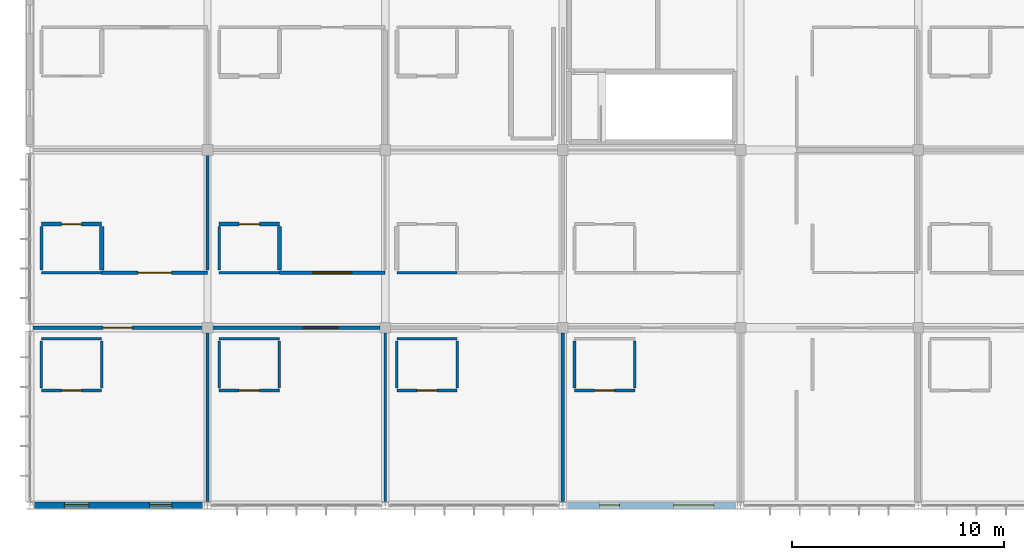
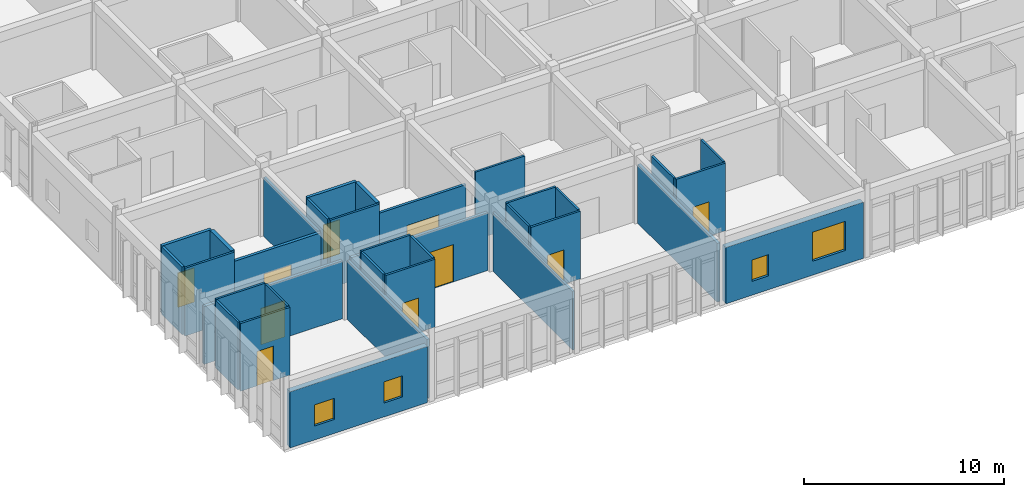
# One storey, part 95 of 144: 34 walls, 10 doors, 4 windows, 14 openings.
"""IFC4 building model written with IfcOpenShell, lengths in metres."""

import ifcopenshell
import ifcopenshell.guid

model = None  # the IFC model being written
_history = None  # IfcOwnerHistory: only IFC2X3 demands one
_inside = {}  # id of a spatial element -> (the spatial element, [elements in it])
_under = {}  # id of a project, library or spatial element -> (it, [spatial elements below it])
_declared = {}  # id of a project -> (the project, [libraries it declares])
_typed = {}  # id of a type object -> (the type object, [elements of that type])
_made_of = {}  # id of a material, layer set ... -> (it, [elements and type objects made of it])


def new_model(schema):
    """Start an empty IFC model of exactly this schema.

    Asked for "IFC4X3", IfcOpenShell would pick the latest addendum, in which some entities
    have other attributes; the version numbers below select the first issue.
    IFC2X3 requires an IfcOwnerHistory on every rooted entity: one is made here for all.
    """
    global model, _history
    if schema == "IFC4X3":
        model = ifcopenshell.file(schema_version=(4, 3, 0, 0))
    else:
        model = ifcopenshell.file(schema=schema)
    _inside.clear()
    _under.clear()
    _declared.clear()
    _typed.clear()
    _made_of.clear()
    _history = None
    if model.schema == "IFC2X3":
        org = make("IfcOrganization", Name="unknown")
        user = make(
            "IfcPersonAndOrganization",
            ThePerson=make("IfcPerson", FamilyName="unknown"),
            TheOrganization=org,
        )
        app = make(
            "IfcApplication",
            ApplicationDeveloper=org,
            Version="unknown",
            ApplicationFullName="unknown",
            ApplicationIdentifier="unknown",
        )
        _history = make(
            "IfcOwnerHistory",
            OwningUser=user,
            OwningApplication=app,
            ChangeAction="ADDED",
            CreationDate=0,
        )
    return model


def make(cls, **values):
    """One entity of the class cls with the attributes given. An attribute that is None is left unset."""
    return model.create_entity(
        cls, **{name: value for name, value in values.items() if value is not None}
    )


def rooted(cls, **values):
    """An entity with a GlobalId (a new one), such as an element, a storey or a relation."""
    return make(cls, GlobalId=ifcopenshell.guid.new(), OwnerHistory=_history, **values)


def si_unit(unit_type, name, prefix=None):
    """IfcSIUnit, for example si_unit("LENGTHUNIT", "METRE", prefix="MILLI")."""
    return make("IfcSIUnit", UnitType=unit_type, Prefix=prefix, Name=name)


def assignment(units):
    """IfcUnitAssignment: the units of a project."""
    return None if units is None else make("IfcUnitAssignment", Units=units)


def point(xyz):
    """IfcCartesianPoint."""
    return None if xyz is None else make("IfcCartesianPoint", Coordinates=xyz)


def direction(xyz):
    """IfcDirection."""
    return None if xyz is None else make("IfcDirection", DirectionRatios=xyz)


def frame(location, z_axis=None, x_axis=None):
    """IfcAxis2Placement3D, a coordinate frame: its origin and axes. An axis left out is left unset."""
    return make(
        "IfcAxis2Placement3D",
        Location=point(location),
        Axis=direction(z_axis),
        RefDirection=direction(x_axis),
    )


def frame_2d(location, x_axis=None):
    """IfcAxis2Placement2D, a coordinate frame in the plane: its origin and x axis."""
    return make(
        "IfcAxis2Placement2D", Location=point(location), RefDirection=direction(x_axis)
    )


def origin():
    """The frame at (0, 0, 0) with its axes left unset."""
    return frame((0.0, 0.0, 0.0))


def place(relative_to, where):
    """IfcLocalPlacement: puts the frame where relative to a parent placement (None: the world)."""
    return make(
        "IfcLocalPlacement", PlacementRelTo=relative_to, RelativePlacement=where
    )


def context(
    kind, dimensions, precision=None, world=None, true_north=None, identifier=None
):
    """IfcGeometricRepresentationContext, for example the 3D "Model" context."""
    return make(
        "IfcGeometricRepresentationContext",
        ContextIdentifier=identifier,
        ContextType=kind,
        CoordinateSpaceDimension=dimensions,
        Precision=precision,
        WorldCoordinateSystem=world,
        TrueNorth=true_north,
    )


def subcontext(parent, identifier, kind, view, scale=None):
    """IfcGeometricRepresentationSubContext, for example "Body" below "Model"."""
    return make(
        "IfcGeometricRepresentationSubContext",
        ContextIdentifier=identifier,
        ContextType=kind,
        ParentContext=parent,
        TargetScale=scale,
        TargetView=view,
    )


def project(units=None, contexts=None):
    """IfcProject with its units and contexts."""
    return rooted(
        "IfcProject",
        Name="project",
        RepresentationContexts=contexts,
        UnitsInContext=assignment(units),
    )


def spatial(cls, under=None, at=None, **own):
    """A site, building, storey or space (cls), placed at a placement, below another one or the project."""
    s = rooted(cls, ObjectPlacement=at, **own)
    if under is not None:
        _under.setdefault(under.id(), (under, []))[1].append(s)
    return s


def profile(cls, at=None, kind="AREA", **sizes):
    """A parametric profile (cls). Its sizes go by their IFC names, for example OverallWidth=200.0."""
    return make(cls, ProfileType=kind, Position=at, **sizes)


def rectangle(**sizes):
    """IfcRectangleProfileDef."""
    return profile("IfcRectangleProfileDef", **sizes)


def extrude(swept, where, along, depth):
    """IfcExtrudedAreaSolid: the profile swept, set in the frame where, extruded along a direction by depth."""
    return make(
        "IfcExtrudedAreaSolid",
        SweptArea=swept,
        Position=where,
        ExtrudedDirection=direction(along),
        Depth=depth,
    )


def shape(context_of_items, identifier, shape_type, items):
    """IfcShapeRepresentation: the items that make up one representation, for example the "Body"."""
    return make(
        "IfcShapeRepresentation",
        ContextOfItems=context_of_items,
        RepresentationIdentifier=identifier,
        RepresentationType=shape_type,
        Items=items,
    )


def material(Name=None, Category=None):
    """IfcMaterial."""
    return make("IfcMaterial", Name=Name, Category=Category)


def layer(
    of_material, thickness, ventilated=None, Name=None, Category=None, Priority=None
):
    """IfcMaterialLayer: one layer of a wall or slab, of a material (None: an air gap)."""
    return make(
        "IfcMaterialLayer",
        Material=of_material,
        LayerThickness=thickness,
        IsVentilated=ventilated,
        Name=Name,
        Category=Category,
        Priority=Priority,
    )


def layer_set(layers, Name=None):
    """IfcMaterialLayerSet."""
    return make("IfcMaterialLayerSet", MaterialLayers=layers, LayerSetName=Name)


def made_of(thing, what):
    """Note that an element or type object is made of a material, layer set ...; save() writes the relation."""
    if what is not None:
        _made_of.setdefault(what.id(), (what, []))[1].append(thing)
    return thing


def type_object(cls, material=None, **own):
    """A type object (cls), such as IfcWallType, which elements share."""
    return made_of(rooted(cls, **own), material)


def element(
    cls,
    number,
    at=None,
    inside=None,
    cuts=None,
    type_object=None,
    material=None,
    context=None,
    identifier="Body",
    shape_type=None,
    held_by="IfcProductDefinitionShape",
    body=None,
    shapes=None,
    **own,
):
    """One element of the class cls, such as IfcWall. Its Tag is "e" and its number.

    at: its placement. inside: the storey or other place that contains it. cuts: it is an
    opening in that element (IfcRelVoidsElement). A single representation is given by context,
    identifier, shape_type and body (its items); several are given by shapes. held_by: the class
    of the entity that holds the representations. save() writes the other relations.
    """
    e = rooted(cls, Tag="e%d" % number, ObjectPlacement=at, **own)
    if body is not None:
        shapes = [shape(context, identifier, shape_type, body)]
    if shapes is not None:
        e.Representation = make(held_by, Representations=shapes)
    if inside is not None:
        _inside.setdefault(inside.id(), (inside, []))[1].append(e)
    if cuts is not None:
        rooted(
            "IfcRelVoidsElement", RelatingBuildingElement=cuts, RelatedOpeningElement=e
        )
    if type_object is not None:
        _typed.setdefault(type_object.id(), (type_object, []))[1].append(e)
    return made_of(e, material)


def fill(opening, filler):
    """IfcRelFillsElement: the door or window that sits in an opening."""
    return rooted(
        "IfcRelFillsElement",
        RelatingOpeningElement=opening,
        RelatedBuildingElement=filler,
    )


def aggregate(whole, parts):
    """IfcRelAggregates: a whole, such as a stair, and the parts it consists of."""
    return rooted("IfcRelAggregates", RelatingObject=whole, RelatedObjects=parts)


def save(model, path):
    """Write the relations noted so far, then the file.

    IfcRelAggregates (storeys below a building ...), IfcRelContainedInSpatialStructure (elements
    in a storey), IfcRelDefinesByType, IfcRelAssociatesMaterial and IfcRelDeclares: one each for
    every whole, place, type object, material and project.
    """
    for whole, parts in _under.values():
        aggregate(whole, parts)
    for where, things in _inside.values():
        rooted(
            "IfcRelContainedInSpatialStructure",
            RelatedElements=things,
            RelatingStructure=where,
        )
    for kind, things in _typed.values():
        rooted("IfcRelDefinesByType", RelatedObjects=things, RelatingType=kind)
    for what, things in _made_of.values():
        rooted("IfcRelAssociatesMaterial", RelatedObjects=things, RelatingMaterial=what)
    for by, libraries in _declared.values():
        rooted("IfcRelDeclares", RelatingContext=by, RelatedDefinitions=libraries)
    model.write(path)


model = new_model("IFC4")

# Units and contexts
model_context = context("Model", 3, precision=1e-05, world=origin(), true_north=direction((0.0, 1.0)))
body_context = subcontext(model_context, "Body", "Model", "MODEL_VIEW")
ifc_project = project(units=[si_unit("LENGTHUNIT", "METRE"), si_unit("AREAUNIT", "SQUARE_METRE"), si_unit("VOLUMEUNIT", "CUBIC_METRE"), si_unit("PLANEANGLEUNIT", "RADIAN"), si_unit("MASSUNIT", "GRAM", prefix="KILO")], contexts=[model_context])

# Site, building, storey
site_placement = place(None, origin())
site = spatial("IfcSite", under=ifc_project, at=site_placement, CompositionType="ELEMENT")
building_placement = place(site_placement, origin())
building = spatial("IfcBuilding", under=site, at=building_placement, Name="Bramfleet General Hospital", CompositionType="ELEMENT")
storey_placement = place(building_placement, frame((0.0, 0.0, 4.800048828125)))
storey = spatial("IfcBuildingStorey", under=building, at=storey_placement, Name="L01", CompositionType="ELEMENT", Elevation=4.800048828125)

# Wall, openings, windows
ifc_material_1 = material(Name="Precast concrete C40/50", Category="concrete")
ifc_layer_1 = layer(ifc_material_1, 0.3349609375, Name="WT-EW-03")
ifc_layer_set_1 = layer_set([ifc_layer_1], Name="Precast concrete C40/50")
wall_type_1 = type_object("IfcWallType", Name="WT-EW-03", PredefinedType="SOLIDWALL", material=ifc_layer_set_1)
wall_1_placement = place(storey_placement, frame((33.375, 0.0, 0.0), z_axis=(0.0, 0.0, 1.0), x_axis=(-1.0, 0.0, 0.0)))
wall_1 = element("IfcWall", 1, at=wall_1_placement, inside=storey, type_object=wall_type_1, Name="L01 Exterior Wall 190", PredefinedType="SOLIDWALL", context=body_context, shape_type="SweptSolid", body=[
    extrude(rectangle(XDim=7.949951171875, YDim=0.3349609375, at=frame_2d((3.97509765625, 0.0))), origin(), (0.0, 0.0, 1.0), 3.43994140625),
])
opening_1_placement = place(wall_1_placement, frame((1.03759765625, 0.0, 0.85009765625)))
opening_1 = element("IfcOpeningElement", 2, at=opening_1_placement, cuts=wall_1, Name="Opening W-46", PredefinedType="OPENING", context=body_context, shape_type="SweptSolid", body=[
    extrude(rectangle(XDim=1.89990234375, YDim=1.780029296875, at=frame_2d((0.949951171875, 0.89013671875))), frame((0.0, 0.177490234375, 0.0), z_axis=(0.0, -1.0, 0.0), x_axis=(1.0, 0.0, 0.0)), (0.0, 0.0, 1.0), 0.35498046875),
])
opening_2_placement = place(wall_1_placement, frame((5.487548828125, 0.0, 0.85009765625)))
opening_2 = element("IfcOpeningElement", 3, at=opening_2_placement, cuts=wall_1, Name="Opening W-01", PredefinedType="OPENING", context=body_context, shape_type="SweptSolid", body=[
    extrude(rectangle(XDim=0.949951171875, YDim=1.300048828125, at=frame_2d((0.47509765625, 0.64990234375))), frame((0.0, 0.177490234375, 0.0), z_axis=(0.0, -1.0, 0.0), x_axis=(1.0, 0.0, 0.0)), (0.0, 0.0, 1.0), 0.35498046875),
])
ifc_material_2 = material(Name="Anodised aluminium and low-E triple glazing", Category="aluminium")
window_type_1 = type_object("IfcWindowType", Name="WIN-W-01", PartitioningType="SINGLE_PANEL", PredefinedType="WINDOW", material=ifc_material_2)
window_1_placement = place(opening_2_placement, origin())
window_1 = element("IfcWindow", 4, at=window_1_placement, inside=storey, type_object=window_type_1, Name="L01 Facade Window WIN-L01-190-2", OverallHeight=1.300048828125, OverallWidth=0.949951171875, PartitioningType="SINGLE_PANEL", PredefinedType="WINDOW", context=body_context, shape_type="SweptSolid", body=[
    extrude(rectangle(XDim=0.949951171875, YDim=1.300048828125, at=frame_2d((0.47509765625, 0.64990234375))), frame((0.0, 0.030029296875, 0.0), z_axis=(0.0, -1.0, 0.0), x_axis=(1.0, 0.0, 0.0)), (0.0, 0.0, 1.0), 0.06005859375),
])
fill(opening_2, window_1)
window_type_2 = type_object("IfcWindowType", Name="WIN-W-46", PartitioningType="SINGLE_PANEL", PredefinedType="WINDOW", material=ifc_material_2)
window_2_placement = place(opening_1_placement, origin())
window_2 = element("IfcWindow", 5, at=window_2_placement, inside=storey, type_object=window_type_2, Name="L01 Facade Window WIN-L01-190-1", OverallHeight=1.780029296875, OverallWidth=1.89990234375, PartitioningType="SINGLE_PANEL", PredefinedType="WINDOW", context=body_context, shape_type="SweptSolid", body=[
    extrude(rectangle(XDim=1.89990234375, YDim=1.780029296875, at=frame_2d((0.949951171875, 0.89013671875))), frame((0.0, 0.030029296875, 0.0), z_axis=(0.0, -1.0, 0.0), x_axis=(1.0, 0.0, 0.0)), (0.0, 0.0, 1.0), 0.06005859375),
])
fill(opening_1, window_2)

ifc_layer_2 = layer(ifc_material_1, 0.31494140625, Name="WT-EW-04")
ifc_layer_set_2 = layer_set([ifc_layer_2], Name="Precast concrete C40/50")
wall_type_2 = type_object("IfcWallType", Name="WT-EW-04", PredefinedType="SOLIDWALL", material=ifc_layer_set_2)
wall_2_placement = place(storey_placement, frame((8.175048828125, 0.0, 0.0), z_axis=(0.0, 0.0, 1.0), x_axis=(-1.0, 0.0, 0.0)))
wall_2 = element("IfcWall", 6, at=wall_2_placement, inside=storey, type_object=wall_type_2, Name="L01 Exterior Wall 191", PredefinedType="SOLIDWALL", context=body_context, shape_type="SweptSolid", body=[
    extrude(rectangle(XDim=7.949951171875, YDim=0.31494140625, at=frame_2d((3.97509765625, 0.0))), origin(), (0.0, 0.0, 1.0), 3.43994140625),
])
opening_3_placement = place(wall_2_placement, frame((1.46240234375, 0.0, 0.85009765625)))
opening_3 = element("IfcOpeningElement", 7, at=opening_3_placement, cuts=wall_2, Name="Opening W-02", PredefinedType="OPENING", context=body_context, shape_type="SweptSolid", body=[
    extrude(rectangle(XDim=1.050048828125, YDim=1.300048828125, at=frame_2d((0.52490234375, 0.64990234375))), frame((0.0, 0.16748046875, 0.0), z_axis=(0.0, -1.0, 0.0), x_axis=(1.0, 0.0, 0.0)), (0.0, 0.0, 1.0), 0.3349609375),
])
opening_4_placement = place(wall_2_placement, frame((5.387451171875, 0.0, 0.85009765625)))
opening_4 = element("IfcOpeningElement", 8, at=opening_4_placement, cuts=wall_2, Name="Opening W-03", PredefinedType="OPENING", context=body_context, shape_type="SweptSolid", body=[
    extrude(rectangle(XDim=1.14990234375, YDim=1.300048828125, at=frame_2d((0.574951171875, 0.64990234375))), frame((0.0, 0.16748046875, 0.0), z_axis=(0.0, -1.0, 0.0), x_axis=(1.0, 0.0, 0.0)), (0.0, 0.0, 1.0), 0.3349609375),
])
window_type_3 = type_object("IfcWindowType", Name="WIN-W-02", PartitioningType="SINGLE_PANEL", PredefinedType="WINDOW", material=ifc_material_2)
window_3_placement = place(opening_3_placement, origin())
window_3 = element("IfcWindow", 9, at=window_3_placement, inside=storey, type_object=window_type_3, Name="L01 Facade Window WIN-L01-191-1", OverallHeight=1.300048828125, OverallWidth=1.050048828125, PartitioningType="SINGLE_PANEL", PredefinedType="WINDOW", context=body_context, shape_type="SweptSolid", body=[
    extrude(rectangle(XDim=1.050048828125, YDim=1.300048828125, at=frame_2d((0.52490234375, 0.64990234375))), frame((0.0, 0.030029296875, 0.0), z_axis=(0.0, -1.0, 0.0), x_axis=(1.0, 0.0, 0.0)), (0.0, 0.0, 1.0), 0.06005859375),
])
fill(opening_3, window_3)
window_type_4 = type_object("IfcWindowType", Name="WIN-W-03", PartitioningType="SINGLE_PANEL", PredefinedType="WINDOW", material=ifc_material_2)
window_4_placement = place(opening_4_placement, origin())
window_4 = element("IfcWindow", 10, at=window_4_placement, inside=storey, type_object=window_type_4, Name="L01 Facade Window WIN-L01-191-2", OverallHeight=1.300048828125, OverallWidth=1.14990234375, PartitioningType="SINGLE_PANEL", PredefinedType="WINDOW", context=body_context, shape_type="SweptSolid", body=[
    extrude(rectangle(XDim=1.14990234375, YDim=1.300048828125, at=frame_2d((0.574951171875, 0.64990234375))), frame((0.0, 0.030029296875, 0.0), z_axis=(0.0, -1.0, 0.0), x_axis=(1.0, 0.0, 0.0)), (0.0, 0.0, 1.0), 0.06005859375),
])
fill(opening_4, window_4)

# Walls
ifc_material_3 = material(Name="Concrete C35/45", Category="concrete")
ifc_layer_3 = layer(ifc_material_3, 0.219970703125, Name="WT-IW-01")
ifc_layer_set_3 = layer_set([ifc_layer_3], Name="Concrete C35/45")
wall_type_3 = type_object("IfcWallType", Name="WT-IW-01", PredefinedType="PARTITIONING", material=ifc_layer_set_3)
wall_3_placement = place(storey_placement, frame((3.39990234375, 11.114990234375, 0.0), z_axis=(0.0, 0.0, 1.0), x_axis=(0.0, 1.0, 0.0)))
element("IfcWall", 11, at=wall_3_placement, inside=storey, type_object=wall_type_3, Name="L01 Interior Partition IW-L01-1585", PredefinedType="PARTITIONING", context=body_context, shape_type="SweptSolid", body=[
    extrude(rectangle(XDim=2.070068359375, YDim=0.219970703125, at=frame_2d((1.03515625, 0.0))), origin(), (0.0, 0.0, 1.0), 4.139892578125),
])
ifc_layer_4 = layer(ifc_material_3, 0.18994140625, Name="WT-IW-03")
ifc_layer_set_4 = layer_set([ifc_layer_4], Name="Concrete C35/45")
wall_type_4 = type_object("IfcWallType", Name="WT-IW-03", PredefinedType="PARTITIONING", material=ifc_layer_set_4)
wall_4_placement = place(storey_placement, frame((11.800048828125, 11.114990234375, 0.0), z_axis=(0.0, 0.0, 1.0), x_axis=(0.0, 1.0, 0.0)))
element("IfcWall", 12, at=wall_4_placement, inside=storey, type_object=wall_type_4, Name="L01 Interior Partition IW-L01-1611", PredefinedType="PARTITIONING", context=body_context, shape_type="SweptSolid", body=[
    extrude(rectangle(XDim=2.070068359375, YDim=0.18994140625, at=frame_2d((1.03515625, 0.0))), origin(), (0.0, 0.0, 1.0), 4.139892578125),
])

# Wall, opening, door
ifc_layer_5 = layer(ifc_material_3, 0.179931640625, Name="WT-IW-04")
ifc_layer_set_5 = layer_set([ifc_layer_5], Name="Concrete C35/45")
wall_type_5 = type_object("IfcWallType", Name="WT-IW-04", PredefinedType="PARTITIONING", material=ifc_layer_set_5)
wall_5_placement = place(storey_placement, frame((0.550048828125, 13.300048828125, 0.0), z_axis=(0.0, 0.0, 1.0), x_axis=(1.0, 0.0, 0.0)))
wall_5 = element("IfcWall", 13, at=wall_5_placement, inside=storey, type_object=wall_type_5, Name="L01 Interior Partition IW-L01-1252", PredefinedType="PARTITIONING", context=body_context, shape_type="SweptSolid", body=[
    extrude(rectangle(XDim=2.849853515625, YDim=0.179931640625, at=frame_2d((1.4248046875, 0.0))), origin(), (0.0, 0.0, 1.0), 4.139892578125),
])
opening_5_placement = place(wall_5_placement, frame((0.949951171875, 0.0, 0.0)))
opening_5 = element("IfcOpeningElement", 14, at=opening_5_placement, cuts=wall_5, Name="Opening D0609", PredefinedType="OPENING", context=body_context, shape_type="SweptSolid", body=[
    extrude(rectangle(XDim=0.949951171875, YDim=2.10009765625, at=frame_2d((0.47509765625, 1.050048828125))), frame((0.0, 0.099853515625, 0.0), z_axis=(0.0, -1.0, 0.0), x_axis=(1.0, 0.0, 0.0)), (0.0, 0.0, 1.0), 0.199951171875),
])
ifc_material_4 = material(Name="Stainless steel and acoustic timber leaf", Category="steel")
door_type_1 = type_object("IfcDoorType", Name="DR-D-10", OperationType="NOTDEFINED", PredefinedType="DOOR", material=ifc_material_4)
door_1_placement = place(opening_5_placement, origin())
door_1 = element("IfcDoor", 15, at=door_1_placement, inside=storey, type_object=door_type_1, Name="Observation En-Suite Bathroom L01-0001 Door D0609", OperationType="SINGLE_SWING_LEFT", OverallHeight=2.10009765625, OverallWidth=0.949951171875, PredefinedType="DOOR", context=body_context, shape_type="SweptSolid", body=[
    extrude(rectangle(XDim=0.949951171875, YDim=2.10009765625, at=frame_2d((0.47509765625, 1.050048828125))), frame((0.0, 0.02490234375, 0.0), z_axis=(0.0, -1.0, 0.0), x_axis=(1.0, 0.0, 0.0)), (0.0, 0.0, 1.0), 0.050048828125),
])
fill(opening_5, door_1)

ifc_material_5 = material(Name="Gypsum plasterboard on acoustic steel studs", Category="steel")
ifc_layer_6 = layer(ifc_material_5, 0.169921875, Name="WT-IW-05")
ifc_layer_set_6 = layer_set([ifc_layer_6], Name="Gypsum plasterboard on acoustic steel studs")
wall_type_6 = type_object("IfcWallType", Name="WT-IW-05", PredefinedType="PARTITIONING", material=ifc_layer_set_6)
wall_6_placement = place(storey_placement, frame((0.14501953125, 8.39990234375, 0.0), z_axis=(0.0, 0.0, 1.0), x_axis=(1.0, 0.0, 0.0)))
wall_6 = element("IfcWall", 16, at=wall_6_placement, inside=storey, type_object=wall_type_6, Name="L01 Interior Partition IW-L01-1205", PredefinedType="PARTITIONING", context=body_context, shape_type="SweptSolid", body=[
    extrude(rectangle(XDim=8.010009765625, YDim=0.169921875, at=frame_2d((4.0048828125, 0.0))), origin(), (0.0, 0.0, 1.0), 3.5400390625),
])
opening_6_placement = place(wall_6_placement, frame((3.31494140625, 0.0, 0.0)))
opening_6 = element("IfcOpeningElement", 17, at=opening_6_placement, cuts=wall_6, Name="Opening D0606", PredefinedType="OPENING", context=body_context, shape_type="SweptSolid", body=[
    extrude(rectangle(XDim=1.3798828125, YDim=2.219970703125, at=frame_2d((0.68994140625, 1.10986328125))), frame((0.0, 0.094970703125, 0.0), z_axis=(0.0, -1.0, 0.0), x_axis=(1.0, 0.0, 0.0)), (0.0, 0.0, 1.0), 0.18994140625),
])
door_type_2 = type_object("IfcDoorType", Name="DR-D-30", OperationType="NOTDEFINED", PredefinedType="DOOR", material=ifc_material_4)
door_2_placement = place(opening_6_placement, origin())
door_2 = element("IfcDoor", 18, at=door_2_placement, inside=storey, type_object=door_type_2, Name="Emergency Observation Ward Room L01-0000 Door D0606", OperationType="SINGLE_SWING_LEFT", OverallHeight=2.219970703125, OverallWidth=1.3798828125, PredefinedType="DOOR", context=body_context, shape_type="SweptSolid", body=[
    extrude(rectangle(XDim=1.3798828125, YDim=2.219970703125, at=frame_2d((0.68994140625, 1.10986328125))), frame((0.0, 0.02490234375, 0.0), z_axis=(0.0, -1.0, 0.0), x_axis=(1.0, 0.0, 0.0)), (0.0, 0.0, 1.0), 0.050048828125),
])
fill(opening_6, door_2)

wall_7_placement = place(storey_placement, frame((3.39990234375, 11.0, 0.0), z_axis=(0.0, 0.0, 1.0), x_axis=(1.0, 0.0, 0.0)))
wall_7 = element("IfcWall", 19, at=wall_7_placement, inside=storey, type_object=wall_type_6, Name="L01 Interior Partition IW-L01-1229", PredefinedType="PARTITIONING", context=body_context, shape_type="SweptSolid", body=[
    extrude(rectangle(XDim=5.0, YDim=0.169921875, at=frame_2d((2.5, 0.0))), origin(), (0.0, 0.0, 1.0), 3.58984375),
])
opening_7_placement = place(wall_7_placement, frame((1.7099609375, 0.0, 0.0)))
opening_7 = element("IfcOpeningElement", 20, at=opening_7_placement, cuts=wall_7, Name="Opening D0608", PredefinedType="OPENING", context=body_context, shape_type="SweptSolid", body=[
    extrude(rectangle(XDim=1.580078125, YDim=2.219970703125, at=frame_2d((0.7900390625, 1.10986328125))), frame((0.0, 0.094970703125, 0.0), z_axis=(0.0, -1.0, 0.0), x_axis=(1.0, 0.0, 0.0)), (0.0, 0.0, 1.0), 0.18994140625),
])
door_type_3 = type_object("IfcDoorType", Name="DR-D-32", OperationType="NOTDEFINED", PredefinedType="DOOR", material=ifc_material_4)
door_3_placement = place(opening_7_placement, origin())
door_3 = element("IfcDoor", 21, at=door_3_placement, inside=storey, type_object=door_type_3, Name="Emergency Observation Ward Room L01-0001 Door D0608", OperationType="DOUBLE_SWING_LEFT", OverallHeight=2.219970703125, OverallWidth=1.580078125, PredefinedType="DOOR", context=body_context, shape_type="SweptSolid", body=[
    extrude(rectangle(XDim=1.580078125, YDim=2.219970703125, at=frame_2d((0.7900390625, 1.10986328125))), frame((0.0, 0.02490234375, 0.0), z_axis=(0.0, -1.0, 0.0), x_axis=(1.0, 0.0, 0.0)), (0.0, 0.0, 1.0), 0.050048828125),
])
fill(opening_7, door_3)

wall_8_placement = place(storey_placement, frame((8.949951171875, 13.300048828125, 0.0), z_axis=(0.0, 0.0, 1.0), x_axis=(1.0, 0.0, 0.0)))
wall_8 = element("IfcWall", 22, at=wall_8_placement, inside=storey, type_object=wall_type_6, Name="L01 Interior Partition IW-L01-1253", PredefinedType="PARTITIONING", context=body_context, shape_type="SweptSolid", body=[
    extrude(rectangle(XDim=2.85009765625, YDim=0.169921875, at=frame_2d((1.425048828125, 0.0))), origin(), (0.0, 0.0, 1.0), 4.139892578125),
])
opening_8_placement = place(wall_8_placement, frame((0.949951171875, 0.0, 0.0)))
opening_8 = element("IfcOpeningElement", 23, at=opening_8_placement, cuts=wall_8, Name="Opening D0629", PredefinedType="OPENING", context=body_context, shape_type="SweptSolid", body=[
    extrude(rectangle(XDim=0.949951171875, YDim=2.10009765625, at=frame_2d((0.47509765625, 1.050048828125))), frame((0.0, 0.094970703125, 0.0), z_axis=(0.0, -1.0, 0.0), x_axis=(1.0, 0.0, 0.0)), (0.0, 0.0, 1.0), 0.18994140625),
])
door_4_placement = place(opening_8_placement, origin())
door_4 = element("IfcDoor", 24, at=door_4_placement, inside=storey, type_object=door_type_1, Name="Observation En-Suite Bathroom L01-0101 Door D0629", OperationType="SINGLE_SWING_LEFT", OverallHeight=2.10009765625, OverallWidth=0.949951171875, PredefinedType="DOOR", context=body_context, shape_type="SweptSolid", body=[
    extrude(rectangle(XDim=0.949951171875, YDim=2.10009765625, at=frame_2d((0.47509765625, 1.050048828125))), frame((0.0, 0.02490234375, 0.0), z_axis=(0.0, -1.0, 0.0), x_axis=(1.0, 0.0, 0.0)), (0.0, 0.0, 1.0), 0.050048828125),
])
fill(opening_8, door_4)

# Wall
wall_9_placement = place(storey_placement, frame((25.199951171875, 0.175048828125, 0.0), z_axis=(0.0, 0.0, 1.0), x_axis=(0.0, 1.0, 0.0)))
element("IfcWall", 25, at=wall_9_placement, inside=storey, type_object=wall_type_6, Name="L01 Interior Partition IW-L01-1649", PredefinedType="PARTITIONING", context=body_context, shape_type="SweptSolid", body=[
    extrude(rectangle(XDim=7.97998046875, YDim=0.169921875, at=frame_2d((3.989990234375, 0.0))), origin(), (0.0, 0.0, 1.0), 3.58984375),
])

# Wall, opening, door
ifc_layer_7 = layer(ifc_material_5, 0.159912109375, Name="WT-IW-06")
ifc_layer_set_7 = layer_set([ifc_layer_7], Name="Gypsum plasterboard on acoustic steel studs")
wall_type_7 = type_object("IfcWallType", Name="WT-IW-06", PredefinedType="PARTITIONING", material=ifc_layer_set_7)
wall_10_placement = place(storey_placement, frame((8.64501953125, 8.39990234375, 0.0), z_axis=(0.0, 0.0, 1.0), x_axis=(1.0, 0.0, 0.0)))
wall_10 = element("IfcWall", 26, at=wall_10_placement, inside=storey, type_object=wall_type_7, Name="L01 Interior Partition IW-L01-1206", PredefinedType="PARTITIONING", context=body_context, shape_type="SweptSolid", body=[
    extrude(rectangle(XDim=7.909912109375, YDim=0.159912109375, at=frame_2d((3.955078125, 0.0))), origin(), (0.0, 0.0, 1.0), 3.5400390625),
])
opening_9_placement = place(wall_10_placement, frame((4.285400390625, 0.0, 0.0)))
opening_9 = element("IfcOpeningElement", 27, at=opening_9_placement, cuts=wall_10, Name="Opening D0626", PredefinedType="OPENING", context=body_context, shape_type="SweptSolid", body=[
    extrude(rectangle(XDim=1.639892578125, YDim=2.280029296875, at=frame_2d((0.81982421875, 1.14013671875))), frame((0.0, 0.08984375, 0.0), z_axis=(0.0, -1.0, 0.0), x_axis=(1.0, 0.0, 0.0)), (0.0, 0.0, 1.0), 0.179931640625),
])
door_type_4 = type_object("IfcDoorType", Name="DR-D-18", OperationType="NOTDEFINED", PredefinedType="DOOR", material=ifc_material_4)
door_5_placement = place(opening_9_placement, origin())
door_5 = element("IfcDoor", 28, at=door_5_placement, inside=storey, type_object=door_type_4, Name="Emergency Observation Ward Room L01-0100 Door D0626", OperationType="DOUBLE_SWING_LEFT", OverallHeight=2.280029296875, OverallWidth=1.639892578125, PredefinedType="DOOR", context=body_context, shape_type="SweptSolid", body=[
    extrude(rectangle(XDim=1.639892578125, YDim=2.280029296875, at=frame_2d((0.81982421875, 1.14013671875))), frame((0.0, 0.02490234375, 0.0), z_axis=(0.0, -1.0, 0.0), x_axis=(1.0, 0.0, 0.0)), (0.0, 0.0, 1.0), 0.050048828125),
])
fill(opening_9, door_5)

# Wall
wall_11_placement = place(storey_placement, frame((8.39990234375, 0.175048828125, 0.0), z_axis=(0.0, 0.0, 1.0), x_axis=(0.0, 1.0, 0.0)))
element("IfcWall", 29, at=wall_11_placement, inside=storey, type_object=wall_type_7, Name="L01 Interior Partition IW-L01-1590", PredefinedType="PARTITIONING", context=body_context, shape_type="SweptSolid", body=[
    extrude(rectangle(XDim=7.97998046875, YDim=0.159912109375, at=frame_2d((3.989990234375, 0.0))), origin(), (0.0, 0.0, 1.0), 3.58984375),
])

# Wall, opening, door
ifc_layer_8 = layer(ifc_material_5, 0.14990234375, Name="WT-IW-07")
ifc_layer_set_8 = layer_set([ifc_layer_8], Name="Gypsum plasterboard on acoustic steel studs")
wall_type_8 = type_object("IfcWallType", Name="WT-IW-07", PredefinedType="PARTITIONING", material=ifc_layer_set_8)
wall_12_placement = place(storey_placement, frame((11.800048828125, 11.0, 0.0), z_axis=(0.0, 0.0, 1.0), x_axis=(1.0, 0.0, 0.0)))
wall_12 = element("IfcWall", 30, at=wall_12_placement, inside=storey, type_object=wall_type_8, Name="L01 Interior Partition IW-L01-1231", PredefinedType="PARTITIONING", context=body_context, shape_type="SweptSolid", body=[
    extrude(rectangle(XDim=5.0, YDim=0.14990234375, at=frame_2d((2.5, 0.0))), origin(), (0.0, 0.0, 1.0), 3.58984375),
])
opening_10_placement = place(wall_12_placement, frame((1.580078125, 0.0, 0.0)))
opening_10 = element("IfcOpeningElement", 31, at=opening_10_placement, cuts=wall_12, Name="Opening D0628", PredefinedType="OPENING", context=body_context, shape_type="SweptSolid", body=[
    extrude(rectangle(XDim=1.840087890625, YDim=2.280029296875, at=frame_2d((0.919921875, 1.14013671875))), frame((0.0, 0.0849609375, 0.0), z_axis=(0.0, -1.0, 0.0), x_axis=(1.0, 0.0, 0.0)), (0.0, 0.0, 1.0), 0.169921875),
])
door_type_5 = type_object("IfcDoorType", Name="DR-D-20", OperationType="NOTDEFINED", PredefinedType="DOOR", material=ifc_material_4)
door_6_placement = place(opening_10_placement, origin())
door_6 = element("IfcDoor", 32, at=door_6_placement, inside=storey, type_object=door_type_5, Name="Emergency Observation Ward Room L01-0101 Door D0628", OperationType="DOUBLE_SWING_LEFT", OverallHeight=2.280029296875, OverallWidth=1.840087890625, PredefinedType="DOOR", context=body_context, shape_type="SweptSolid", body=[
    extrude(rectangle(XDim=1.840087890625, YDim=2.280029296875, at=frame_2d((0.919921875, 1.14013671875))), frame((0.0, 0.02490234375, 0.0), z_axis=(0.0, -1.0, 0.0), x_axis=(1.0, 0.0, 0.0)), (0.0, 0.0, 1.0), 0.050048828125),
])
fill(opening_10, door_6)

# Walls
wall_13_placement = place(storey_placement, frame((0.550048828125, 11.114990234375, 0.0), z_axis=(0.0, 0.0, 1.0), x_axis=(0.0, 1.0, 0.0)))
element("IfcWall", 33, at=wall_13_placement, inside=storey, type_object=wall_type_8, Name="L01 Interior Partition IW-L01-1579", PredefinedType="PARTITIONING", context=body_context, shape_type="SweptSolid", body=[
    extrude(rectangle(XDim=2.070068359375, YDim=0.14990234375, at=frame_2d((1.03515625, 0.0))), origin(), (0.0, 0.0, 1.0), 4.139892578125),
])
wall_14_placement = place(storey_placement, frame((8.39990234375, 11.114990234375, 0.0), z_axis=(0.0, 0.0, 1.0), x_axis=(0.0, 1.0, 0.0)))
element("IfcWall", 34, at=wall_14_placement, inside=storey, type_object=wall_type_8, Name="L01 Interior Partition IW-L01-1591", PredefinedType="PARTITIONING", context=body_context, shape_type="SweptSolid", body=[
    extrude(rectangle(XDim=5.43994140625, YDim=0.14990234375, at=frame_2d((2.719970703125, 0.0))), origin(), (0.0, 0.0, 1.0), 3.58984375),
])
ifc_layer_9 = layer(ifc_material_5, 0.1298828125, Name="WT-IW-09")
ifc_layer_set_9 = layer_set([ifc_layer_9], Name="Gypsum plasterboard on acoustic steel studs")
wall_type_9 = type_object("IfcWallType", Name="WT-IW-09", PredefinedType="PARTITIONING", material=ifc_layer_set_9)
wall_15_placement = place(storey_placement, frame((8.949951171875, 11.114990234375, 0.0), z_axis=(0.0, 0.0, 1.0), x_axis=(0.0, 1.0, 0.0)))
element("IfcWall", 35, at=wall_15_placement, inside=storey, type_object=wall_type_9, Name="L01 Interior Partition IW-L01-1605", PredefinedType="PARTITIONING", context=body_context, shape_type="SweptSolid", body=[
    extrude(rectangle(XDim=2.070068359375, YDim=0.1298828125, at=frame_2d((1.03515625, 0.0))), origin(), (0.0, 0.0, 1.0), 4.139892578125),
])

# Wall, opening, door
ifc_layer_10 = layer(ifc_material_5, 0.1201171875, Name="WT-IW-10")
ifc_layer_set_10 = layer_set([ifc_layer_10], Name="Gypsum plasterboard on acoustic steel studs")
wall_type_10 = type_object("IfcWallType", Name="WT-IW-10", PredefinedType="PARTITIONING", material=ifc_layer_set_10)
wall_16_placement = place(storey_placement, frame((0.550048828125, 5.429931640625, 0.0), z_axis=(0.0, 0.0, 1.0), x_axis=(1.0, 0.0, 0.0)))
wall_16 = element("IfcWall", 36, at=wall_16_placement, inside=storey, type_object=wall_type_10, Name="L01 Interior Partition IW-L01-1195", PredefinedType="PARTITIONING", context=body_context, shape_type="SweptSolid", body=[
    extrude(rectangle(XDim=2.849853515625, YDim=0.1201171875, at=frame_2d((1.4248046875, 0.0))), origin(), (0.0, 0.0, 1.0), 4.139892578125),
])
opening_11_placement = place(wall_16_placement, frame((0.949951171875, 0.0, 0.0)))
opening_11 = element("IfcOpeningElement", 37, at=opening_11_placement, cuts=wall_16, Name="Opening D0607", PredefinedType="OPENING", context=body_context, shape_type="SweptSolid", body=[
    extrude(rectangle(XDim=0.949951171875, YDim=2.10009765625, at=frame_2d((0.47509765625, 1.050048828125))), frame((0.0, 0.070068359375, 0.0), z_axis=(0.0, -1.0, 0.0), x_axis=(1.0, 0.0, 0.0)), (0.0, 0.0, 1.0), 0.14013671875),
])
door_7_placement = place(opening_11_placement, origin())
door_7 = element("IfcDoor", 38, at=door_7_placement, inside=storey, type_object=door_type_1, Name="Observation En-Suite Bathroom L01-0000 Door D0607", OperationType="SINGLE_SWING_LEFT", OverallHeight=2.10009765625, OverallWidth=0.949951171875, PredefinedType="DOOR", context=body_context, shape_type="SweptSolid", body=[
    extrude(rectangle(XDim=0.949951171875, YDim=2.10009765625, at=frame_2d((0.47509765625, 1.050048828125))), frame((0.0, 0.02490234375, 0.0), z_axis=(0.0, -1.0, 0.0), x_axis=(1.0, 0.0, 0.0)), (0.0, 0.0, 1.0), 0.050048828125),
])
fill(opening_11, door_7)

wall_17_placement = place(storey_placement, frame((8.949951171875, 5.429931640625, 0.0), z_axis=(0.0, 0.0, 1.0), x_axis=(1.0, 0.0, 0.0)))
wall_17 = element("IfcWall", 39, at=wall_17_placement, inside=storey, type_object=wall_type_10, Name="L01 Interior Partition IW-L01-1196", PredefinedType="PARTITIONING", context=body_context, shape_type="SweptSolid", body=[
    extrude(rectangle(XDim=2.85009765625, YDim=0.1201171875, at=frame_2d((1.425048828125, 0.0))), origin(), (0.0, 0.0, 1.0), 4.139892578125),
])
opening_12_placement = place(wall_17_placement, frame((0.949951171875, 0.0, 0.0)))
opening_12 = element("IfcOpeningElement", 40, at=opening_12_placement, cuts=wall_17, Name="Opening D0627", PredefinedType="OPENING", context=body_context, shape_type="SweptSolid", body=[
    extrude(rectangle(XDim=0.949951171875, YDim=2.10009765625, at=frame_2d((0.47509765625, 1.050048828125))), frame((0.0, 0.070068359375, 0.0), z_axis=(0.0, -1.0, 0.0), x_axis=(1.0, 0.0, 0.0)), (0.0, 0.0, 1.0), 0.14013671875),
])
door_8_placement = place(opening_12_placement, origin())
door_8 = element("IfcDoor", 41, at=door_8_placement, inside=storey, type_object=door_type_1, Name="Observation En-Suite Bathroom L01-0100 Door D0627", OperationType="SINGLE_SWING_LEFT", OverallHeight=2.10009765625, OverallWidth=0.949951171875, PredefinedType="DOOR", context=body_context, shape_type="SweptSolid", body=[
    extrude(rectangle(XDim=0.949951171875, YDim=2.10009765625, at=frame_2d((0.47509765625, 1.050048828125))), frame((0.0, 0.02490234375, 0.0), z_axis=(0.0, -1.0, 0.0), x_axis=(1.0, 0.0, 0.0)), (0.0, 0.0, 1.0), 0.050048828125),
])
fill(opening_12, door_8)

wall_18_placement = place(storey_placement, frame((17.35009765625, 5.429931640625, 0.0), z_axis=(0.0, 0.0, 1.0), x_axis=(1.0, 0.0, 0.0)))
wall_18 = element("IfcWall", 42, at=wall_18_placement, inside=storey, type_object=wall_type_10, Name="L01 Interior Partition IW-L01-1197", PredefinedType="PARTITIONING", context=body_context, shape_type="SweptSolid", body=[
    extrude(rectangle(XDim=2.849853515625, YDim=0.1201171875, at=frame_2d((1.4248046875, 0.0))), origin(), (0.0, 0.0, 1.0), 4.139892578125),
])
opening_13_placement = place(wall_18_placement, frame((0.949951171875, 0.0, 0.0)))
opening_13 = element("IfcOpeningElement", 43, at=opening_13_placement, cuts=wall_18, Name="Opening D0648", PredefinedType="OPENING", context=body_context, shape_type="SweptSolid", body=[
    extrude(rectangle(XDim=0.949951171875, YDim=2.10009765625, at=frame_2d((0.47509765625, 1.050048828125))), frame((0.0, 0.070068359375, 0.0), z_axis=(0.0, -1.0, 0.0), x_axis=(1.0, 0.0, 0.0)), (0.0, 0.0, 1.0), 0.14013671875),
])
door_9_placement = place(opening_13_placement, origin())
door_9 = element("IfcDoor", 44, at=door_9_placement, inside=storey, type_object=door_type_1, Name="Observation En-Suite Bathroom L01-0200 Door D0648", OperationType="SINGLE_SWING_LEFT", OverallHeight=2.10009765625, OverallWidth=0.949951171875, PredefinedType="DOOR", context=body_context, shape_type="SweptSolid", body=[
    extrude(rectangle(XDim=0.949951171875, YDim=2.10009765625, at=frame_2d((0.47509765625, 1.050048828125))), frame((0.0, 0.02490234375, 0.0), z_axis=(0.0, -1.0, 0.0), x_axis=(1.0, 0.0, 0.0)), (0.0, 0.0, 1.0), 0.050048828125),
])
fill(opening_13, door_9)

wall_19_placement = place(storey_placement, frame((25.75, 5.429931640625, 0.0), z_axis=(0.0, 0.0, 1.0), x_axis=(1.0, 0.0, 0.0)))
wall_19 = element("IfcWall", 45, at=wall_19_placement, inside=storey, type_object=wall_type_10, Name="L01 Interior Partition IW-L01-1198", PredefinedType="PARTITIONING", context=body_context, shape_type="SweptSolid", body=[
    extrude(rectangle(XDim=2.85009765625, YDim=0.1201171875, at=frame_2d((1.425048828125, 0.0))), origin(), (0.0, 0.0, 1.0), 4.139892578125),
])
opening_14_placement = place(wall_19_placement, frame((0.949951171875, 0.0, 0.0)))
opening_14 = element("IfcOpeningElement", 46, at=opening_14_placement, cuts=wall_19, Name="Opening D0667", PredefinedType="OPENING", context=body_context, shape_type="SweptSolid", body=[
    extrude(rectangle(XDim=0.949951171875, YDim=2.10009765625, at=frame_2d((0.47509765625, 1.050048828125))), frame((0.0, 0.070068359375, 0.0), z_axis=(0.0, -1.0, 0.0), x_axis=(1.0, 0.0, 0.0)), (0.0, 0.0, 1.0), 0.14013671875),
])
door_10_placement = place(opening_14_placement, origin())
door_10 = element("IfcDoor", 47, at=door_10_placement, inside=storey, type_object=door_type_1, Name="Observation En-Suite Bathroom L01-0300 Door D0667", OperationType="SINGLE_SWING_LEFT", OverallHeight=2.10009765625, OverallWidth=0.949951171875, PredefinedType="DOOR", context=body_context, shape_type="SweptSolid", body=[
    extrude(rectangle(XDim=0.949951171875, YDim=2.10009765625, at=frame_2d((0.47509765625, 1.050048828125))), frame((0.0, 0.02490234375, 0.0), z_axis=(0.0, -1.0, 0.0), x_axis=(1.0, 0.0, 0.0)), (0.0, 0.0, 1.0), 0.050048828125),
])
fill(opening_14, door_10)

# Walls
wall_20_placement = place(storey_placement, frame((0.550048828125, 7.8798828125, 0.0), z_axis=(0.0, 0.0, 1.0), x_axis=(1.0, 0.0, 0.0)))
element("IfcWall", 48, at=wall_20_placement, inside=storey, type_object=wall_type_10, Name="L01 Interior Partition IW-L01-1200", PredefinedType="PARTITIONING", context=body_context, shape_type="SweptSolid", body=[
    extrude(rectangle(XDim=2.849853515625, YDim=0.1201171875, at=frame_2d((1.4248046875, 0.0))), origin(), (0.0, 0.0, 1.0), 4.139892578125),
])
wall_21_placement = place(storey_placement, frame((8.949951171875, 7.8798828125, 0.0), z_axis=(0.0, 0.0, 1.0), x_axis=(1.0, 0.0, 0.0)))
element("IfcWall", 49, at=wall_21_placement, inside=storey, type_object=wall_type_10, Name="L01 Interior Partition IW-L01-1201", PredefinedType="PARTITIONING", context=body_context, shape_type="SweptSolid", body=[
    extrude(rectangle(XDim=2.85009765625, YDim=0.1201171875, at=frame_2d((1.425048828125, 0.0))), origin(), (0.0, 0.0, 1.0), 4.139892578125),
])
for number, where, z_axis, x_axis, name in (
    (50, (17.35009765625, 7.8798828125, 0.0), (0.0, 0.0, 1.0), (1.0, 0.0, 0.0), "L01 Interior Partition IW-L01-1202"),
    (51, (0.550048828125, 11.0, 0.0), (0.0, 0.0, 1.0), (1.0, 0.0, 0.0), "L01 Interior Partition IW-L01-1228"),
):
    element("IfcWall", number, at=place(storey_placement, frame(where, z_axis=z_axis, x_axis=x_axis)), inside=storey, type_object=wall_type_10, Name=name, PredefinedType="PARTITIONING", context=body_context, shape_type="SweptSolid", body=[
        extrude(rectangle(XDim=2.849853515625, YDim=0.1201171875, at=frame_2d((1.4248046875, 0.0))), origin(), (0.0, 0.0, 1.0), 4.139892578125),
    ])
wall_22_placement = place(storey_placement, frame((8.949951171875, 11.0, 0.0), z_axis=(0.0, 0.0, 1.0), x_axis=(1.0, 0.0, 0.0)))
element("IfcWall", 52, at=wall_22_placement, inside=storey, type_object=wall_type_10, Name="L01 Interior Partition IW-L01-1230", PredefinedType="PARTITIONING", context=body_context, shape_type="SweptSolid", body=[
    extrude(rectangle(XDim=2.85009765625, YDim=0.1201171875, at=frame_2d((1.425048828125, 0.0))), origin(), (0.0, 0.0, 1.0), 4.139892578125),
])
wall_23_placement = place(storey_placement, frame((17.35009765625, 11.0, 0.0), z_axis=(0.0, 0.0, 1.0), x_axis=(1.0, 0.0, 0.0)))
element("IfcWall", 53, at=wall_23_placement, inside=storey, type_object=wall_type_10, Name="L01 Interior Partition IW-L01-1232", PredefinedType="PARTITIONING", context=body_context, shape_type="SweptSolid", body=[
    extrude(rectangle(XDim=2.849853515625, YDim=0.1201171875, at=frame_2d((1.4248046875, 0.0))), origin(), (0.0, 0.0, 1.0), 4.139892578125),
])
for number, where, z_axis, x_axis, name in (
    (54, (0.550048828125, 5.544921875, 0.0), (0.0, 0.0, 1.0), (0.0, 1.0, 0.0), "L01 Interior Partition IW-L01-1578"),
    (55, (3.39990234375, 5.544921875, 0.0), (0.0, 0.0, 1.0), (0.0, 1.0, 0.0), "L01 Interior Partition IW-L01-1584"),
    (56, (8.949951171875, 5.544921875, 0.0), (0.0, 0.0, 1.0), (0.0, 1.0, 0.0), "L01 Interior Partition IW-L01-1604"),
    (57, (11.800048828125, 5.544921875, 0.0), (0.0, 0.0, 1.0), (0.0, 1.0, 0.0), "L01 Interior Partition IW-L01-1610"),
    (58, (17.35009765625, 5.544921875, 0.0), (0.0, 0.0, 1.0), (0.0, 1.0, 0.0), "L01 Interior Partition IW-L01-1633"),
    (59, (20.199951171875, 5.544921875, 0.0), (0.0, 0.0, 1.0), (0.0, 1.0, 0.0), "L01 Interior Partition IW-L01-1639"),
    (60, (25.75, 5.544921875, 0.0), (0.0, 0.0, 1.0), (0.0, 1.0, 0.0), "L01 Interior Partition IW-L01-1662"),
    (61, (28.60009765625, 5.544921875, 0.0), (0.0, 0.0, 1.0), (0.0, 1.0, 0.0), "L01 Interior Partition IW-L01-1666"),
):
    element("IfcWall", number, at=place(storey_placement, frame(where, z_axis=z_axis, x_axis=x_axis)), inside=storey, type_object=wall_type_10, Name=name, PredefinedType="PARTITIONING", context=body_context, shape_type="SweptSolid", body=[
        extrude(rectangle(XDim=2.219970703125, YDim=0.1201171875, at=frame_2d((1.10986328125, 0.0))), origin(), (0.0, 0.0, 1.0), 4.139892578125),
    ])
ifc_layer_11 = layer(ifc_material_5, 0.112060546875, Name="WT-IW-11")
ifc_layer_set_11 = layer_set([ifc_layer_11], Name="Gypsum plasterboard on acoustic steel studs")
wall_type_11 = type_object("IfcWallType", Name="WT-IW-11", PredefinedType="PARTITIONING", material=ifc_layer_set_11)
wall_24_placement = place(storey_placement, frame((16.800048828125, 0.175048828125, 0.0), z_axis=(0.0, 0.0, 1.0), x_axis=(0.0, 1.0, 0.0)))
element("IfcWall", 62, at=wall_24_placement, inside=storey, type_object=wall_type_11, Name="L01 Interior Partition IW-L01-1619", PredefinedType="PARTITIONING", context=body_context, shape_type="SweptSolid", body=[
    extrude(rectangle(XDim=7.97998046875, YDim=0.112060546875, at=frame_2d((3.989990234375, 0.0))), origin(), (0.0, 0.0, 1.0), 3.58984375),
])

save(model, "model.ifc")
